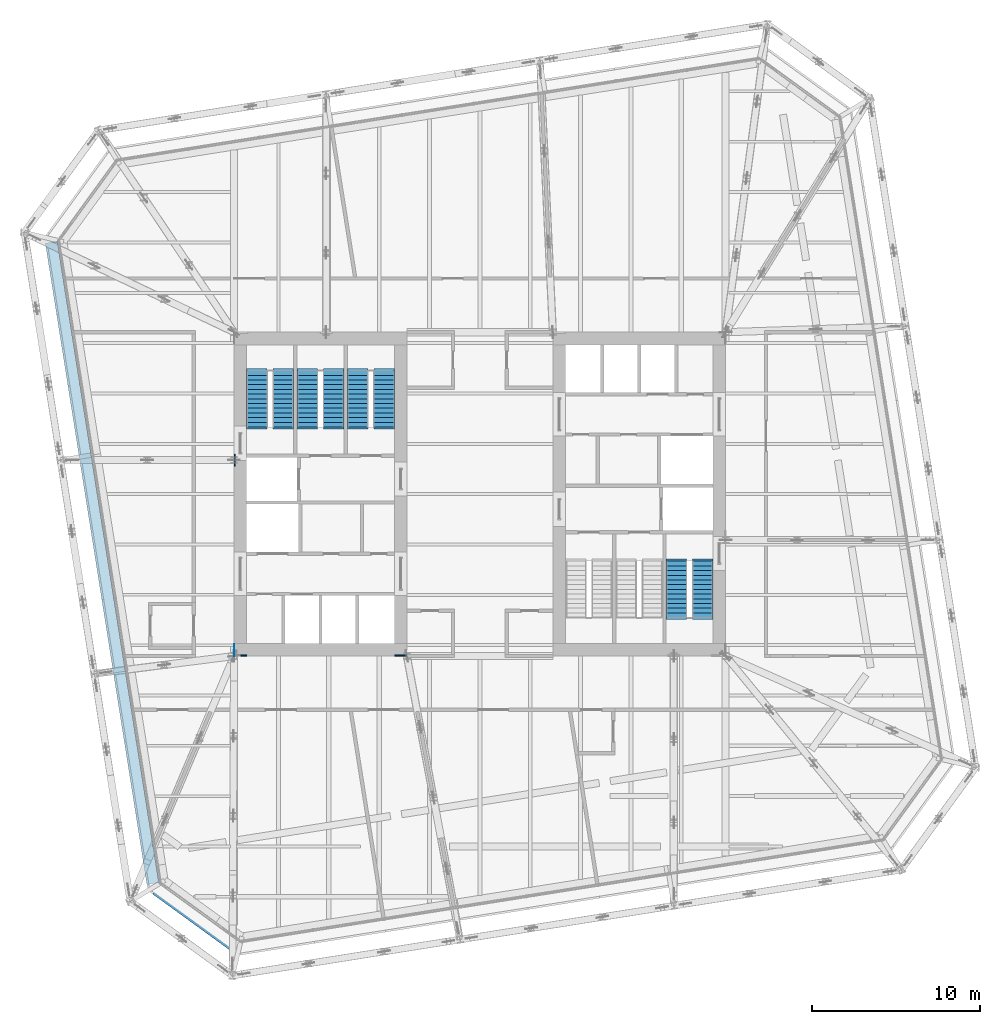
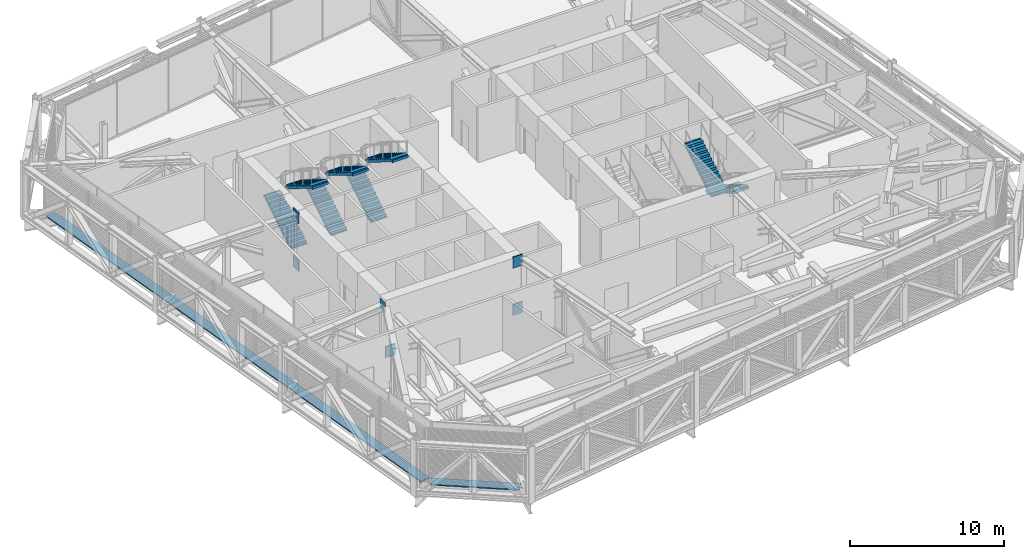
# One storey, part 23 of 31: 8 discrete accessories, 8 stair flights, 4 elements without a shape of their own.
"""IFC4 building model written with IfcOpenShell, lengths in metres."""

from ifc_helpers import new_model, si_unit, direction, frame, origin, origin_2d, place, context, subcontext, project, spatial, polyline, rectangle, outline, extrude, material, layer, layer_set, type_object, element, aggregate, save


model = new_model("IFC4")

# Units and contexts
model_context = context("Model", 3, precision=1e-05, world=origin(), true_north=direction((0.0, 1.0)))
body_context = subcontext(model_context, "Body", "Model", "MODEL_VIEW")
ifc_project = project(units=[si_unit("LENGTHUNIT", "METRE"), si_unit("AREAUNIT", "SQUARE_METRE"), si_unit("VOLUMEUNIT", "CUBIC_METRE"), si_unit("PLANEANGLEUNIT", "RADIAN"), si_unit("MASSUNIT", "GRAM", prefix="KILO")], contexts=[model_context])

# Site, building, storey
site_placement = place(None, origin())
site = spatial("IfcSite", under=ifc_project, at=site_placement, CompositionType="ELEMENT")
building_placement = place(site_placement, origin())
building = spatial("IfcBuilding", under=site, at=building_placement, Name="Millrace Tower", CompositionType="ELEMENT")
storey_placement = place(building_placement, frame((0.0, 0.0, 195.60009765625)))
storey = spatial("IfcBuildingStorey", under=building, at=storey_placement, Name="L44", CompositionType="ELEMENT", Elevation=195.60009765625)

# Stair, stair flights
ifc_material_1 = material(Name="Concrete C35", Category="concrete")
stair_type = type_object("IfcStairType", Name="Exit stair", PredefinedType="HALF_TURN_STAIR", material=ifc_material_1)
placement = place(storey_placement, origin())
stair_1 = element("IfcStair", 1, at=placement, inside=storey, type_object=stair_type, Name="Stair 1 W L44", PredefinedType="HALF_TURN_STAIR")
ifc_material_2 = material(Name="Concrete C35", Category="concrete")
stair_flight_type = type_object("IfcStairFlightType", Name="Exit stair flight", PredefinedType="STRAIGHT", material=ifc_material_2)
stair_flight_1_placement = place(storey_placement, frame((-13.2900390625, 4.0, 0.0), z_axis=(0.0, 0.0, 1.0), x_axis=(0.0, 1.0, 0.0)))
stair_flight_1 = element("IfcStairFlight", 2, at=stair_flight_1_placement, type_object=stair_flight_type, Name="ST12 flight 1", NumberOfRisers=13, NumberOfTreads=12, PredefinedType="STRAIGHT", RiserHeight=0.173076923, TreadLength=0.28, context=body_context, shape_type="SweptSolid", body=[
    extrude(outline(polyline([(-0.1201171875, -0.0400390625), (-0.1201171875, 0.0), (0.0, 0.0), (0.0, 0.173095703125), (0.280029296875, 0.173095703125), (0.280029296875, 0.34619140625), (0.56005859375, 0.34619140625), (0.56005859375, 0.519287109375), (0.840087890625, 0.519287109375), (0.840087890625, 0.6923828125), (1.1201171875, 0.6923828125), (1.1201171875, 0.865478515625), (1.39990234375, 0.865478515625), (1.39990234375, 1.03857421875), (1.679931640625, 1.03857421875), (1.679931640625, 1.21142578125), (1.9599609375, 1.21142578125), (1.9599609375, 1.384521484375), (2.239990234375, 1.384521484375), (2.239990234375, 1.5576171875), (2.52001953125, 1.5576171875), (2.52001953125, 1.730712890625), (2.800048828125, 1.730712890625), (2.800048828125, 1.90380859375), (3.080078125, 1.90380859375), (3.080078125, 2.076904296875), (3.360107421875, 2.076904296875), (3.360107421875, 2.096923828125), (3.47998046875, 2.096923828125), (3.47998046875, 1.900634765625), (3.360107421875, 1.900634765625), (0.28515625, 0.0), (0.28515625, -0.0400390625), (-0.1201171875, -0.0400390625)])), frame((0.0, 0.60986328125, 0.0), z_axis=(0.0, -1.0, 0.0), x_axis=(1.0, 0.0, 0.0)), (0.0, 0.0, 1.0), 1.219970703125),
])
stair_flight_2_placement = place(storey_placement, frame((-11.7099609375, 7.360107421875, 2.25), z_axis=(0.0, 0.0, 1.0), x_axis=(0.0, -1.0, 0.0)))
stair_flight_2 = element("IfcStairFlight", 3, at=stair_flight_2_placement, type_object=stair_flight_type, Name="ST12 flight 2", NumberOfRisers=13, NumberOfTreads=12, PredefinedType="STRAIGHT", RiserHeight=0.173076923, TreadLength=0.28, context=body_context, shape_type="SweptSolid", body=[
    extrude(outline(polyline([(-0.1201171875, -0.0400390625), (-0.1201171875, 0.0), (0.0, 0.0), (0.0, 0.173095703125), (0.280029296875, 0.173095703125), (0.280029296875, 0.34619140625), (0.56005859375, 0.34619140625), (0.56005859375, 0.519287109375), (0.840087890625, 0.519287109375), (0.840087890625, 0.6923828125), (1.1201171875, 0.6923828125), (1.1201171875, 0.865478515625), (1.39990234375, 0.865478515625), (1.39990234375, 1.03857421875), (1.679931640625, 1.03857421875), (1.679931640625, 1.21142578125), (1.9599609375, 1.21142578125), (1.9599609375, 1.384521484375), (2.239990234375, 1.384521484375), (2.239990234375, 1.5576171875), (2.52001953125, 1.5576171875), (2.52001953125, 1.730712890625), (2.800048828125, 1.730712890625), (2.800048828125, 1.90380859375), (3.080078125, 1.90380859375), (3.080078125, 2.076904296875), (3.360107421875, 2.076904296875), (3.360107421875, 2.096923828125), (3.47998046875, 2.096923828125), (3.47998046875, 1.900634765625), (3.360107421875, 1.900634765625), (0.28515625, 0.0), (0.28515625, -0.0400390625), (-0.1201171875, -0.0400390625)])), frame((0.0, 0.60986328125, 0.0), z_axis=(0.0, -1.0, 0.0), x_axis=(1.0, 0.0, 0.0)), (0.0, 0.0, 1.0), 1.219970703125),
])
aggregate(stair_1, [stair_flight_1, stair_flight_2])

stair_2 = element("IfcStair", 4, at=placement, inside=storey, type_object=stair_type, Name="Stair 2 W L44", PredefinedType="HALF_TURN_STAIR")
stair_flight_3_placement = place(storey_placement, frame((-10.2900390625, 4.0, 0.0), z_axis=(0.0, 0.0, 1.0), x_axis=(0.0, 1.0, 0.0)))
stair_flight_3 = element("IfcStairFlight", 5, at=stair_flight_3_placement, type_object=stair_flight_type, Name="ST12 flight 1", NumberOfRisers=13, NumberOfTreads=12, PredefinedType="STRAIGHT", RiserHeight=0.173076923, TreadLength=0.28, context=body_context, shape_type="SweptSolid", body=[
    extrude(outline(polyline([(-0.1201171875, -0.0400390625), (-0.1201171875, 0.0), (0.0, 0.0), (0.0, 0.173095703125), (0.280029296875, 0.173095703125), (0.280029296875, 0.34619140625), (0.56005859375, 0.34619140625), (0.56005859375, 0.519287109375), (0.840087890625, 0.519287109375), (0.840087890625, 0.6923828125), (1.1201171875, 0.6923828125), (1.1201171875, 0.865478515625), (1.39990234375, 0.865478515625), (1.39990234375, 1.03857421875), (1.679931640625, 1.03857421875), (1.679931640625, 1.21142578125), (1.9599609375, 1.21142578125), (1.9599609375, 1.384521484375), (2.239990234375, 1.384521484375), (2.239990234375, 1.5576171875), (2.52001953125, 1.5576171875), (2.52001953125, 1.730712890625), (2.800048828125, 1.730712890625), (2.800048828125, 1.90380859375), (3.080078125, 1.90380859375), (3.080078125, 2.076904296875), (3.360107421875, 2.076904296875), (3.360107421875, 2.096923828125), (3.47998046875, 2.096923828125), (3.47998046875, 1.900634765625), (3.360107421875, 1.900634765625), (0.28515625, 0.0), (0.28515625, -0.0400390625), (-0.1201171875, -0.0400390625)])), frame((0.0, 0.60986328125, 0.0), z_axis=(0.0, -1.0, 0.0), x_axis=(1.0, 0.0, 0.0)), (0.0, 0.0, 1.0), 1.219970703125),
])
stair_flight_4_placement = place(storey_placement, frame((-8.7099609375, 7.360107421875, 2.25), z_axis=(0.0, 0.0, 1.0), x_axis=(0.0, -1.0, 0.0)))
stair_flight_4 = element("IfcStairFlight", 6, at=stair_flight_4_placement, type_object=stair_flight_type, Name="ST12 flight 2", NumberOfRisers=13, NumberOfTreads=12, PredefinedType="STRAIGHT", RiserHeight=0.173076923, TreadLength=0.28, context=body_context, shape_type="SweptSolid", body=[
    extrude(outline(polyline([(-0.1201171875, -0.0400390625), (-0.1201171875, 0.0), (0.0, 0.0), (0.0, 0.173095703125), (0.280029296875, 0.173095703125), (0.280029296875, 0.34619140625), (0.56005859375, 0.34619140625), (0.56005859375, 0.519287109375), (0.840087890625, 0.519287109375), (0.840087890625, 0.6923828125), (1.1201171875, 0.6923828125), (1.1201171875, 0.865478515625), (1.39990234375, 0.865478515625), (1.39990234375, 1.03857421875), (1.679931640625, 1.03857421875), (1.679931640625, 1.21142578125), (1.9599609375, 1.21142578125), (1.9599609375, 1.384521484375), (2.239990234375, 1.384521484375), (2.239990234375, 1.5576171875), (2.52001953125, 1.5576171875), (2.52001953125, 1.730712890625), (2.800048828125, 1.730712890625), (2.800048828125, 1.90380859375), (3.080078125, 1.90380859375), (3.080078125, 2.076904296875), (3.360107421875, 2.076904296875), (3.360107421875, 2.096923828125), (3.47998046875, 2.096923828125), (3.47998046875, 1.900634765625), (3.360107421875, 1.900634765625), (0.28515625, 0.0), (0.28515625, -0.0400390625), (-0.1201171875, -0.0400390625)])), frame((0.0, 0.60986328125, 0.0), z_axis=(0.0, -1.0, 0.0), x_axis=(1.0, 0.0, 0.0)), (0.0, 0.0, 1.0), 1.219970703125),
])
aggregate(stair_2, [stair_flight_3, stair_flight_4])

stair_3 = element("IfcStair", 7, at=placement, inside=storey, type_object=stair_type, Name="Stair 3 W L44", PredefinedType="HALF_TURN_STAIR")
stair_flight_5_placement = place(storey_placement, frame((-7.2900390625, 4.0, 0.0), z_axis=(0.0, 0.0, 1.0), x_axis=(0.0, 1.0, 0.0)))
stair_flight_5 = element("IfcStairFlight", 8, at=stair_flight_5_placement, type_object=stair_flight_type, Name="ST12 flight 1", NumberOfRisers=13, NumberOfTreads=12, PredefinedType="STRAIGHT", RiserHeight=0.173076923, TreadLength=0.28, context=body_context, shape_type="SweptSolid", body=[
    extrude(outline(polyline([(-0.1201171875, -0.0400390625), (-0.1201171875, 0.0), (0.0, 0.0), (0.0, 0.173095703125), (0.280029296875, 0.173095703125), (0.280029296875, 0.34619140625), (0.56005859375, 0.34619140625), (0.56005859375, 0.519287109375), (0.840087890625, 0.519287109375), (0.840087890625, 0.6923828125), (1.1201171875, 0.6923828125), (1.1201171875, 0.865478515625), (1.39990234375, 0.865478515625), (1.39990234375, 1.03857421875), (1.679931640625, 1.03857421875), (1.679931640625, 1.21142578125), (1.9599609375, 1.21142578125), (1.9599609375, 1.384521484375), (2.239990234375, 1.384521484375), (2.239990234375, 1.5576171875), (2.52001953125, 1.5576171875), (2.52001953125, 1.730712890625), (2.800048828125, 1.730712890625), (2.800048828125, 1.90380859375), (3.080078125, 1.90380859375), (3.080078125, 2.076904296875), (3.360107421875, 2.076904296875), (3.360107421875, 2.096923828125), (3.47998046875, 2.096923828125), (3.47998046875, 1.900634765625), (3.360107421875, 1.900634765625), (0.28515625, 0.0), (0.28515625, -0.0400390625), (-0.1201171875, -0.0400390625)])), frame((0.0, 0.60986328125, 0.0), z_axis=(0.0, -1.0, 0.0), x_axis=(1.0, 0.0, 0.0)), (0.0, 0.0, 1.0), 1.219970703125),
])
stair_flight_6_placement = place(storey_placement, frame((-5.7099609375, 7.360107421875, 2.25), z_axis=(0.0, 0.0, 1.0), x_axis=(0.0, -1.0, 0.0)))
stair_flight_6 = element("IfcStairFlight", 9, at=stair_flight_6_placement, type_object=stair_flight_type, Name="ST12 flight 2", NumberOfRisers=13, NumberOfTreads=12, PredefinedType="STRAIGHT", RiserHeight=0.173076923, TreadLength=0.28, context=body_context, shape_type="SweptSolid", body=[
    extrude(outline(polyline([(-0.1201171875, -0.0400390625), (-0.1201171875, 0.0), (0.0, 0.0), (0.0, 0.173095703125), (0.280029296875, 0.173095703125), (0.280029296875, 0.34619140625), (0.56005859375, 0.34619140625), (0.56005859375, 0.519287109375), (0.840087890625, 0.519287109375), (0.840087890625, 0.6923828125), (1.1201171875, 0.6923828125), (1.1201171875, 0.865478515625), (1.39990234375, 0.865478515625), (1.39990234375, 1.03857421875), (1.679931640625, 1.03857421875), (1.679931640625, 1.21142578125), (1.9599609375, 1.21142578125), (1.9599609375, 1.384521484375), (2.239990234375, 1.384521484375), (2.239990234375, 1.5576171875), (2.52001953125, 1.5576171875), (2.52001953125, 1.730712890625), (2.800048828125, 1.730712890625), (2.800048828125, 1.90380859375), (3.080078125, 1.90380859375), (3.080078125, 2.076904296875), (3.360107421875, 2.076904296875), (3.360107421875, 2.096923828125), (3.47998046875, 2.096923828125), (3.47998046875, 1.900634765625), (3.360107421875, 1.900634765625), (0.28515625, 0.0), (0.28515625, -0.0400390625), (-0.1201171875, -0.0400390625)])), frame((0.0, 0.60986328125, 0.0), z_axis=(0.0, -1.0, 0.0), x_axis=(1.0, 0.0, 0.0)), (0.0, 0.0, 1.0), 1.219970703125),
])
aggregate(stair_3, [stair_flight_5, stair_flight_6])

stair_4 = element("IfcStair", 10, at=placement, inside=storey, type_object=stair_type, Name="Stair 1 E L44", PredefinedType="HALF_TURN_STAIR")
stair_flight_7_placement = place(storey_placement, frame((13.2900390625, -4.0, 0.0), z_axis=(0.0, 0.0, 1.0), x_axis=(0.0, -1.0, 0.0)))
stair_flight_7 = element("IfcStairFlight", 11, at=stair_flight_7_placement, type_object=stair_flight_type, Name="ST12 flight 1", NumberOfRisers=13, NumberOfTreads=12, PredefinedType="STRAIGHT", RiserHeight=0.173076923, TreadLength=0.28, context=body_context, shape_type="SweptSolid", body=[
    extrude(outline(polyline([(-0.1201171875, -0.0400390625), (-0.1201171875, 0.0), (0.0, 0.0), (0.0, 0.173095703125), (0.280029296875, 0.173095703125), (0.280029296875, 0.34619140625), (0.56005859375, 0.34619140625), (0.56005859375, 0.519287109375), (0.840087890625, 0.519287109375), (0.840087890625, 0.6923828125), (1.1201171875, 0.6923828125), (1.1201171875, 0.865478515625), (1.39990234375, 0.865478515625), (1.39990234375, 1.03857421875), (1.679931640625, 1.03857421875), (1.679931640625, 1.21142578125), (1.9599609375, 1.21142578125), (1.9599609375, 1.384521484375), (2.239990234375, 1.384521484375), (2.239990234375, 1.5576171875), (2.52001953125, 1.5576171875), (2.52001953125, 1.730712890625), (2.800048828125, 1.730712890625), (2.800048828125, 1.90380859375), (3.080078125, 1.90380859375), (3.080078125, 2.076904296875), (3.360107421875, 2.076904296875), (3.360107421875, 2.096923828125), (3.47998046875, 2.096923828125), (3.47998046875, 1.900634765625), (3.360107421875, 1.900634765625), (0.28515625, 0.0), (0.28515625, -0.0400390625), (-0.1201171875, -0.0400390625)])), frame((0.0, 0.60986328125, 0.0), z_axis=(0.0, -1.0, 0.0), x_axis=(1.0, 0.0, 0.0)), (0.0, 0.0, 1.0), 1.219970703125),
])
stair_flight_8_placement = place(storey_placement, frame((11.7099609375, -7.360107421875, 2.25), z_axis=(0.0, 0.0, 1.0), x_axis=(0.0, 1.0, 0.0)))
stair_flight_8 = element("IfcStairFlight", 12, at=stair_flight_8_placement, type_object=stair_flight_type, Name="ST12 flight 2", NumberOfRisers=13, NumberOfTreads=12, PredefinedType="STRAIGHT", RiserHeight=0.173076923, TreadLength=0.28, context=body_context, shape_type="SweptSolid", body=[
    extrude(outline(polyline([(-0.1201171875, -0.0400390625), (-0.1201171875, 0.0), (0.0, 0.0), (0.0, 0.173095703125), (0.280029296875, 0.173095703125), (0.280029296875, 0.34619140625), (0.56005859375, 0.34619140625), (0.56005859375, 0.519287109375), (0.840087890625, 0.519287109375), (0.840087890625, 0.6923828125), (1.1201171875, 0.6923828125), (1.1201171875, 0.865478515625), (1.39990234375, 0.865478515625), (1.39990234375, 1.03857421875), (1.679931640625, 1.03857421875), (1.679931640625, 1.21142578125), (1.9599609375, 1.21142578125), (1.9599609375, 1.384521484375), (2.239990234375, 1.384521484375), (2.239990234375, 1.5576171875), (2.52001953125, 1.5576171875), (2.52001953125, 1.730712890625), (2.800048828125, 1.730712890625), (2.800048828125, 1.90380859375), (3.080078125, 1.90380859375), (3.080078125, 2.076904296875), (3.360107421875, 2.076904296875), (3.360107421875, 2.096923828125), (3.47998046875, 2.096923828125), (3.47998046875, 1.900634765625), (3.360107421875, 1.900634765625), (0.28515625, 0.0), (0.28515625, -0.0400390625), (-0.1201171875, -0.0400390625)])), frame((0.0, 0.60986328125, 0.0), z_axis=(0.0, -1.0, 0.0), x_axis=(1.0, 0.0, 0.0)), (0.0, 0.0, 1.0), 1.219970703125),
])
aggregate(stair_4, [stair_flight_7, stair_flight_8])

# Discrete accessories
ifc_material_3 = material(Name="Steel ASTM A572 Grade 50", Category="steel")
ifc_layer_1 = layer(ifc_material_3, 0.02490234375)
ifc_layer_set_1 = layer_set([ifc_layer_1], Name="Steel ASTM A572 Grade 50")
discrete_accessory_type_1 = type_object("IfcDiscreteAccessoryType", Name="Cast-in anchor plate 700x785x25", PredefinedType="ANCHORPLATE", material=ifc_layer_set_1)
discrete_accessory_1_placement = place(storey_placement, frame((-14.625, -9.300048828125, 3.75732421875), z_axis=(-1.0, 0.0, 0.0), x_axis=(0.0, -1.0, 0.0)))
element("IfcDiscreteAccessory", 13, at=discrete_accessory_1_placement, inside=storey, type_object=discrete_accessory_type_1, Name="Cast-in anchor plate BLT-L44-O01-V00", PredefinedType="ANCHORPLATE", context=body_context, shape_type="SweptSolid", body=[
    extrude(rectangle(XDim=0.699951171875, YDim=0.784912109375, at=origin_2d()), origin(), (0.0, 0.0, 1.0), 0.02490234375),
])
ifc_material_4 = material(Name="Steel ASTM A572 Grade 50", Category="steel")
ifc_layer_2 = layer(ifc_material_4, 0.070068359375)
ifc_layer_set_2 = layer_set([ifc_layer_2], Name="Steel ASTM A572 Grade 50")
discrete_accessory_type_2 = type_object("IfcDiscreteAccessoryType", Name="Cast-in anchor plate 730x885x70", PredefinedType="ANCHORPLATE", material=ifc_layer_set_2)
for number, where, z_axis, x_axis, name in (
    (14, (-14.580078125, 2.014892578125, 0.2412109375), (-1.0, 0.0, 0.0), (0.0, -1.0, 0.0), "Cast-in anchor plate BLT-L44-O15-B01"),
    (15, (-14.580078125, 2.014892578125, 3.99853515625), (-1.0, 0.0, 0.0), (0.0, -1.0, 0.0), "Cast-in anchor plate BLT-L44-O15-T01"),
):
    element("IfcDiscreteAccessory", number, at=place(storey_placement, frame(where, z_axis=z_axis, x_axis=x_axis)), inside=storey, type_object=discrete_accessory_type_2, Name=name, PredefinedType="ANCHORPLATE", context=body_context, shape_type="SweptSolid", body=[
        extrude(rectangle(XDim=0.72998046875, YDim=0.885009765625, at=origin_2d()), origin(), (0.0, 0.0, 1.0), 0.06982421875),
    ])
ifc_material_5 = material(Name="Steel ASTM A572 Grade 50", Category="steel")
ifc_layer_3 = layer(ifc_material_5, 0.070068359375)
ifc_layer_set_3 = layer_set([ifc_layer_3], Name="Steel ASTM A572 Grade 50")
discrete_accessory_type_3 = type_object("IfcDiscreteAccessoryType", Name="Cast-in anchor plate 735x885x70", PredefinedType="ANCHORPLATE", material=ifc_layer_set_3)
for number, where, z_axis, x_axis, name in (
    (16, (-4.717529296875, -9.580078125, 0.2412109375), (0.0, -1.0, 0.0), (1.0, 0.0, 0.0), "Cast-in anchor plate BLT-L44-O03-B01"),
    (17, (-4.717529296875, -9.580078125, 3.99853515625), (0.0, -1.0, 0.0), (1.0, 0.0, 0.0), "Cast-in anchor plate BLT-L44-O03-T01"),
):
    element("IfcDiscreteAccessory", number, at=place(storey_placement, frame(where, z_axis=z_axis, x_axis=x_axis)), inside=storey, type_object=discrete_accessory_type_3, Name=name, PredefinedType="ANCHORPLATE", context=body_context, shape_type="SweptSolid", body=[
        extrude(rectangle(XDim=0.735107421875, YDim=0.885009765625, at=origin_2d()), origin(), (0.0, 0.0, 1.0), 0.06982421875),
    ])
ifc_material_6 = material(Name="Steel ASTM A572 Grade 50", Category="steel")
ifc_layer_4 = layer(ifc_material_6, 0.070068359375)
ifc_layer_set_4 = layer_set([ifc_layer_4], Name="Steel ASTM A572 Grade 50")
discrete_accessory_type_4 = type_object("IfcDiscreteAccessoryType", Name="Cast-in anchor plate 765x885x70", PredefinedType="ANCHORPLATE", material=ifc_layer_set_4)
discrete_accessory_2_placement = place(storey_placement, frame((-14.267578125, -9.580078125, 0.2412109375), z_axis=(0.0, -1.0, 0.0), x_axis=(1.0, 0.0, 0.0)))
element("IfcDiscreteAccessory", 18, at=discrete_accessory_2_placement, inside=storey, type_object=discrete_accessory_type_4, Name="Cast-in anchor plate BLT-L44-O01-B01", PredefinedType="ANCHORPLATE", context=body_context, shape_type="SweptSolid", body=[
    extrude(rectangle(XDim=0.764892578125, YDim=0.885009765625, at=origin_2d()), origin(), (0.0, 0.0, 1.0), 0.06982421875),
])
ifc_material_7 = material(Name="Stainless steel ASTM A240 type 316", Category="steel")
discrete_accessory_type_5 = type_object("IfcDiscreteAccessoryType", Name="Thermally broken screen support rail", PredefinedType="BRACKET", material=ifc_material_7)
discrete_accessory_3_placement = place(storey_placement, frame((-16.909423828125, -25.275390625, -0.000244140625), z_axis=(0.0, 0.0, 1.0), x_axis=(0.809016981623, -0.587785269844, 0.0)))
element("IfcDiscreteAccessory", 19, at=discrete_accessory_3_placement, inside=storey, type_object=discrete_accessory_type_5, Name="Thermally broken screen support rail C-F01 L44 1", PredefinedType="BRACKET", context=body_context, shape_type="SweptSolid", body=[
    extrude(rectangle(XDim=5.868896484375, YDim=0.719970703125, at=origin_2d()), origin(), (0.0, 0.0, 1.0), 0.10009765625),
])
discrete_accessory_4_placement = place(storey_placement, frame((-22.514404296875, -4.10595703125, -0.000244140625), z_axis=(0.0, 0.0, 1.0), x_axis=(0.15643447328, -0.98768833929, 0.0)))
element("IfcDiscreteAccessory", 20, at=discrete_accessory_4_placement, inside=storey, type_object=discrete_accessory_type_5, Name="Thermally broken screen support rail C-F08 L44 1", PredefinedType="BRACKET", context=body_context, shape_type="SweptSolid", body=[
    extrude(rectangle(XDim=38.699951171875, YDim=0.719970703125, at=origin_2d()), origin(), (0.0, 0.0, 1.0), 0.10009765625),
])

save(model, "model.ifc")
